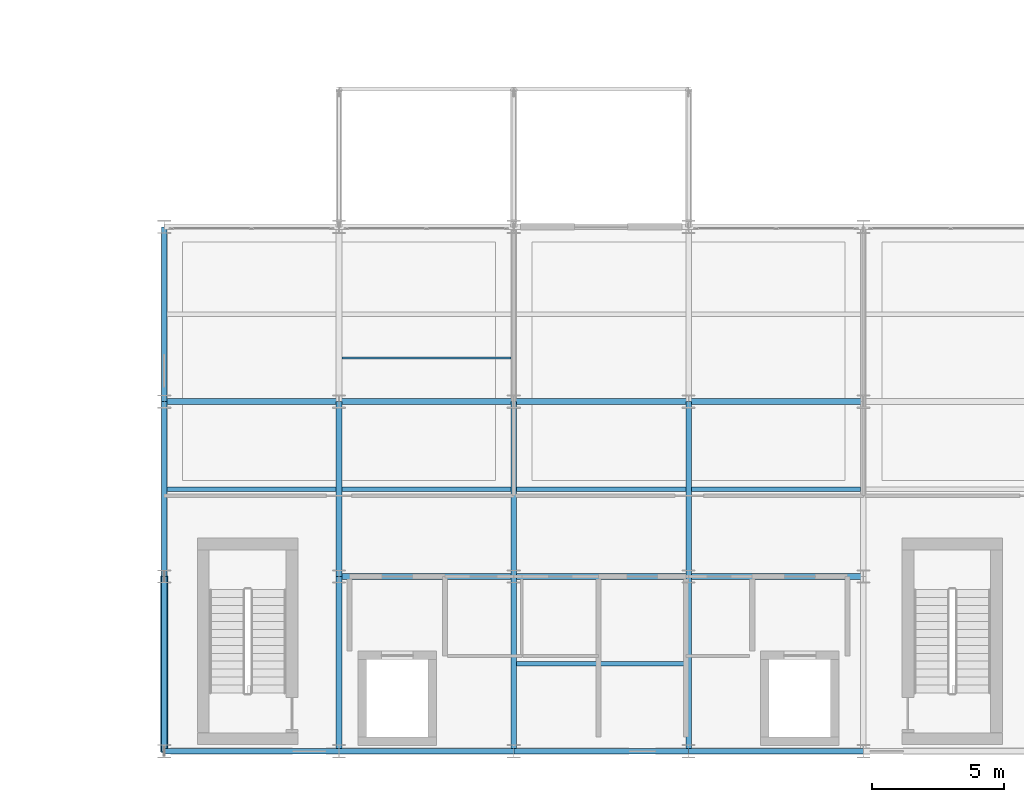
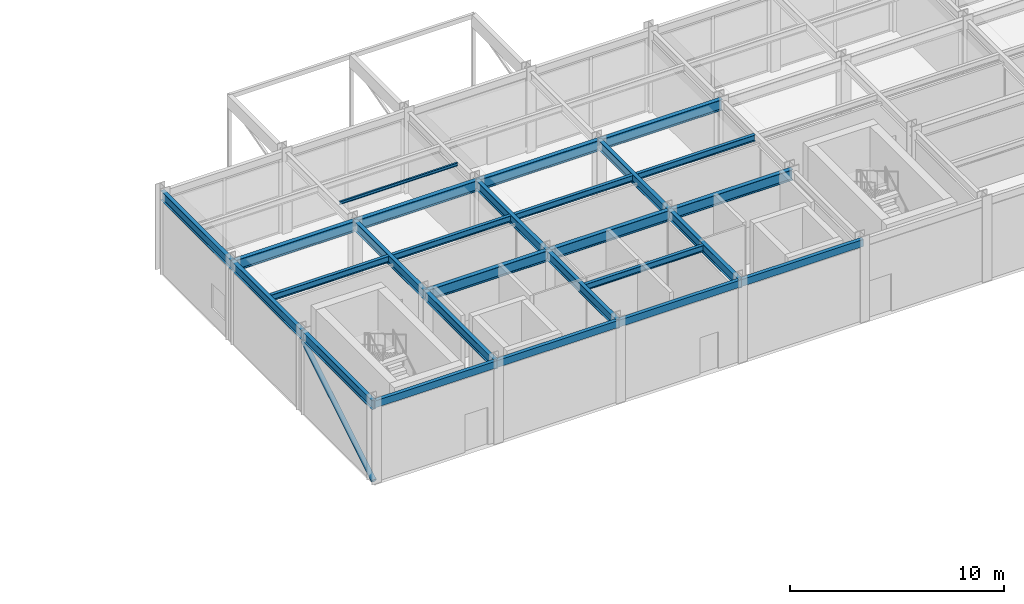
# One storey, part 56 of 144: 26 beams, 1 member.
"""IFC4 building model written with IfcOpenShell, lengths in metres."""

from ifc_helpers import new_model, si_unit, direction, frame, origin, origin_2d, place, context, subcontext, project, spatial, hollow_rectangle, hollow_circle, i_section, extrude, material, material_profile, profile_set, type_object, element, save


model = new_model("IFC4")

# Units and contexts
model_context = context("Model", 3, precision=1e-05, world=origin(), true_north=direction((0.0, 1.0)))
body_context = subcontext(model_context, "Body", "Model", "MODEL_VIEW")
ifc_project = project(units=[si_unit("LENGTHUNIT", "METRE"), si_unit("AREAUNIT", "SQUARE_METRE"), si_unit("VOLUMEUNIT", "CUBIC_METRE"), si_unit("PLANEANGLEUNIT", "RADIAN"), si_unit("MASSUNIT", "GRAM", prefix="KILO")], contexts=[model_context])

# Site, building, storey
site_placement = place(None, origin())
site = spatial("IfcSite", under=ifc_project, at=site_placement, CompositionType="ELEMENT")
building_placement = place(site_placement, origin())
building = spatial("IfcBuilding", under=site, at=building_placement, Name="Karori Crest Natural Sciences Institute", CompositionType="ELEMENT")
storey_placement = place(building_placement, origin())
storey = spatial("IfcBuildingStorey", under=building, at=storey_placement, Name="L00", CompositionType="ELEMENT", Elevation=0.0)

# Beams
ifc_material_1 = material(Name="Structural steel AS/NZS 3679.1 Grade 350", Category="steel")
ifc_material_profile_1 = material_profile(ifc_material_1, i_section(OverallWidth=0.22900390625, OverallDepth=0.612060546875, WebThickness=0.011962890625, FlangeThickness=0.01953125, FilletRadius=0.013916015625, at=origin_2d()), Name="610UB125")
ifc_profile_set_1 = profile_set([ifc_material_profile_1], Name="Structural steel AS/NZS 3679.1 Grade 350")
beam_type_1 = type_object("IfcBeamType", Name="BT-04", PredefinedType="BEAM", material=ifc_profile_set_1)
beam_1_placement = place(storey_placement, frame((110.199951171875, 7.39990234375, 4.31396484375), z_axis=(1.0, 0.0, 0.0), x_axis=(0.0, 1.0, 0.0)))
element("IfcBeam", 1, at=beam_1_placement, inside=storey, type_object=beam_type_1, Name="Beam B-2030", PredefinedType="BEAM", context=body_context, shape_type="SweptSolid", body=[
    extrude(i_section(OverallWidth=0.22900390625, OverallDepth=0.612060546875, WebThickness=0.011962890625, FlangeThickness=0.01953125, FilletRadius=0.013916015625, at=origin_2d()), origin(), (0.0, 0.0, 1.0), 6.60009765625),
])
beam_2_placement = place(storey_placement, frame((116.800048828125, 7.39990234375, 4.31396484375), z_axis=(1.0, 0.0, 0.0), x_axis=(0.0, 1.0, 0.0)))
element("IfcBeam", 2, at=beam_2_placement, inside=storey, type_object=beam_type_1, Name="Beam B-2031", PredefinedType="BEAM", context=body_context, shape_type="SweptSolid", body=[
    extrude(i_section(OverallWidth=0.22900390625, OverallDepth=0.612060546875, WebThickness=0.011962890625, FlangeThickness=0.01953125, FilletRadius=0.013916015625, at=origin_2d()), origin(), (0.0, 0.0, 1.0), 6.599853515625),
])
beam_3_placement = place(storey_placement, frame((123.39990234375, 7.39990234375, 4.31396484375), z_axis=(1.0, 0.0, 0.0), x_axis=(0.0, 1.0, 0.0)))
element("IfcBeam", 3, at=beam_3_placement, inside=storey, type_object=beam_type_1, Name="Beam B-2032", PredefinedType="BEAM", context=body_context, shape_type="SweptSolid", body=[
    extrude(i_section(OverallWidth=0.22900390625, OverallDepth=0.612060546875, WebThickness=0.011962890625, FlangeThickness=0.01953125, FilletRadius=0.013916015625, at=origin_2d()), origin(), (0.0, 0.0, 1.0), 6.60009765625),
])
beam_4_placement = place(storey_placement, frame((103.60009765625, 14.0, 4.31396484375), z_axis=(1.0, 0.0, 0.0), x_axis=(0.0, 1.0, 0.0)))
element("IfcBeam", 4, at=beam_4_placement, inside=storey, type_object=beam_type_1, Name="Beam B-2037", PredefinedType="BEAM", context=body_context, shape_type="SweptSolid", body=[
    extrude(i_section(OverallWidth=0.22900390625, OverallDepth=0.612060546875, WebThickness=0.011962890625, FlangeThickness=0.01953125, FilletRadius=0.013916015625, at=origin_2d()), origin(), (0.0, 0.0, 1.0), 6.599853515625),
])
beam_5_placement = place(storey_placement, frame((110.199951171875, 14.0, 4.31396484375), z_axis=(1.0, 0.0, 0.0), x_axis=(0.0, 1.0, 0.0)))
element("IfcBeam", 5, at=beam_5_placement, inside=storey, type_object=beam_type_1, Name="Beam B-2038", PredefinedType="BEAM", context=body_context, shape_type="SweptSolid", body=[
    extrude(i_section(OverallWidth=0.22900390625, OverallDepth=0.612060546875, WebThickness=0.011962890625, FlangeThickness=0.01953125, FilletRadius=0.013916015625, at=origin_2d()), origin(), (0.0, 0.0, 1.0), 6.60009765625),
])
beam_6_placement = place(storey_placement, frame((116.800048828125, 14.0, 4.31396484375), z_axis=(1.0, 0.0, 0.0), x_axis=(0.0, 1.0, 0.0)))
element("IfcBeam", 6, at=beam_6_placement, inside=storey, type_object=beam_type_1, Name="Beam B-2039", PredefinedType="BEAM", context=body_context, shape_type="SweptSolid", body=[
    extrude(i_section(OverallWidth=0.22900390625, OverallDepth=0.612060546875, WebThickness=0.011962890625, FlangeThickness=0.01953125, FilletRadius=0.013916015625, at=origin_2d()), origin(), (0.0, 0.0, 1.0), 6.599853515625),
])
beam_7_placement = place(storey_placement, frame((123.39990234375, 14.0, 4.31396484375), z_axis=(1.0, 0.0, 0.0), x_axis=(0.0, 1.0, 0.0)))
element("IfcBeam", 7, at=beam_7_placement, inside=storey, type_object=beam_type_1, Name="Beam B-2040", PredefinedType="BEAM", context=body_context, shape_type="SweptSolid", body=[
    extrude(i_section(OverallWidth=0.22900390625, OverallDepth=0.612060546875, WebThickness=0.011962890625, FlangeThickness=0.01953125, FilletRadius=0.013916015625, at=origin_2d()), origin(), (0.0, 0.0, 1.0), 6.60009765625),
])
ifc_material_profile_2 = material_profile(ifc_material_1, i_section(OverallWidth=0.208984375, OverallDepth=0.532958984375, WebThickness=0.01025390625, FlangeThickness=0.015625, FilletRadius=0.013916015625, at=origin_2d()), Name="530UB92.4")
ifc_profile_set_2 = profile_set([ifc_material_profile_2], Name="Structural steel AS/NZS 3679.1 Grade 350")
beam_type_2 = type_object("IfcBeamType", Name="BT-05", PredefinedType="BEAM", material=ifc_profile_set_2)
beam_8_placement = place(storey_placement, frame((110.199951171875, 0.800048828125, 4.353515625), z_axis=(0.0, 1.0, 0.0), x_axis=(-1.0, 0.0, 0.0)))
element("IfcBeam", 8, at=beam_8_placement, inside=storey, type_object=beam_type_2, Name="Beam B-2058", PredefinedType="BEAM", context=body_context, shape_type="SweptSolid", body=[
    extrude(i_section(OverallWidth=0.208984375, OverallDepth=0.532958984375, WebThickness=0.01025390625, FlangeThickness=0.015625, FilletRadius=0.013916015625, at=origin_2d()), origin(), (0.0, 0.0, 1.0), 6.599853515625),
])
beam_9_placement = place(storey_placement, frame((110.199951171875, 7.39990234375, 4.353515625), z_axis=(0.0, 1.0, 0.0), x_axis=(-1.0, 0.0, 0.0)))
element("IfcBeam", 9, at=beam_9_placement, inside=storey, type_object=beam_type_2, Name="Beam B-2059", PredefinedType="BEAM", context=body_context, shape_type="SweptSolid", body=[
    extrude(i_section(OverallWidth=0.208984375, OverallDepth=0.532958984375, WebThickness=0.01025390625, FlangeThickness=0.015625, FilletRadius=0.013916015625, at=origin_2d()), origin(), (0.0, 0.0, 1.0), 6.60009765625),
])
beam_10_placement = place(storey_placement, frame((116.800048828125, 0.800048828125, 4.353515625), z_axis=(0.0, 1.0, 0.0), x_axis=(-1.0, 0.0, 0.0)))
element("IfcBeam", 10, at=beam_10_placement, inside=storey, type_object=beam_type_2, Name="Beam B-2061", PredefinedType="BEAM", context=body_context, shape_type="SweptSolid", body=[
    extrude(i_section(OverallWidth=0.208984375, OverallDepth=0.532958984375, WebThickness=0.01025390625, FlangeThickness=0.015625, FilletRadius=0.013916015625, at=origin_2d()), origin(), (0.0, 0.0, 1.0), 6.599853515625),
])
beam_11_placement = place(storey_placement, frame((116.800048828125, 7.39990234375, 4.353515625), z_axis=(0.0, 1.0, 0.0), x_axis=(-1.0, 0.0, 0.0)))
element("IfcBeam", 11, at=beam_11_placement, inside=storey, type_object=beam_type_2, Name="Beam B-2062", PredefinedType="BEAM", context=body_context, shape_type="SweptSolid", body=[
    extrude(i_section(OverallWidth=0.208984375, OverallDepth=0.532958984375, WebThickness=0.01025390625, FlangeThickness=0.015625, FilletRadius=0.013916015625, at=origin_2d()), origin(), (0.0, 0.0, 1.0), 6.60009765625),
])
beam_12_placement = place(storey_placement, frame((123.39990234375, 0.800048828125, 4.353515625), z_axis=(0.0, 1.0, 0.0), x_axis=(-1.0, 0.0, 0.0)))
element("IfcBeam", 12, at=beam_12_placement, inside=storey, type_object=beam_type_2, Name="Beam B-2064", PredefinedType="BEAM", context=body_context, shape_type="SweptSolid", body=[
    extrude(i_section(OverallWidth=0.208984375, OverallDepth=0.532958984375, WebThickness=0.01025390625, FlangeThickness=0.015625, FilletRadius=0.013916015625, at=origin_2d()), origin(), (0.0, 0.0, 1.0), 6.599853515625),
])
beam_13_placement = place(storey_placement, frame((123.39990234375, 7.39990234375, 4.353515625), z_axis=(0.0, 1.0, 0.0), x_axis=(-1.0, 0.0, 0.0)))
element("IfcBeam", 13, at=beam_13_placement, inside=storey, type_object=beam_type_2, Name="Beam B-2065", PredefinedType="BEAM", context=body_context, shape_type="SweptSolid", body=[
    extrude(i_section(OverallWidth=0.208984375, OverallDepth=0.532958984375, WebThickness=0.01025390625, FlangeThickness=0.015625, FilletRadius=0.013916015625, at=origin_2d()), origin(), (0.0, 0.0, 1.0), 6.60009765625),
])
ifc_material_profile_3 = material_profile(ifc_material_1, i_section(OverallWidth=0.208984375, OverallDepth=0.532958984375, WebThickness=0.01025390625, FlangeThickness=0.015625, FilletRadius=0.013916015625, at=origin_2d()), Name="530UB92.4")
ifc_profile_set_3 = profile_set([ifc_material_profile_3], Name="Structural steel AS/NZS 3679.1 Grade 350")
beam_type_3 = type_object("IfcBeamType", Name="BT-05-EL", PredefinedType="BEAM", material=ifc_profile_set_3)
beam_14_placement = place(storey_placement, frame((103.60009765625, 0.800048828125, 4.353515625), z_axis=(0.0, 1.0, 0.0), x_axis=(-1.0, 0.0, 0.0)))
element("IfcBeam", 14, at=beam_14_placement, inside=storey, type_object=beam_type_3, Name="Beam B-2055", PredefinedType="BEAM", context=body_context, shape_type="SweptSolid", body=[
    extrude(i_section(OverallWidth=0.208984375, OverallDepth=0.532958984375, WebThickness=0.01025390625, FlangeThickness=0.015625, FilletRadius=0.013916015625, at=origin_2d()), origin(), (0.0, 0.0, 1.0), 6.599853515625),
])
for number, where, z_axis, x_axis, name in (
    (15, (103.60009765625, 7.39990234375, 4.353515625), (0.0, 1.0, 0.0), (-1.0, 0.0, 0.0), "Beam B-2056"),
    (16, (103.60009765625, 14.0, 4.353515625), (0.0, 1.0, 0.0), (-1.0, 0.0, 0.0), "Beam B-2057"),
):
    element("IfcBeam", number, at=place(storey_placement, frame(where, z_axis=z_axis, x_axis=x_axis)), inside=storey, type_object=beam_type_3, Name=name, PredefinedType="BEAM", context=body_context, shape_type="SweptSolid", body=[
        extrude(i_section(OverallWidth=0.208984375, OverallDepth=0.532958984375, WebThickness=0.01025390625, FlangeThickness=0.015625, FilletRadius=0.013916015625, at=origin_2d()), origin(), (0.0, 0.0, 1.0), 6.60009765625),
    ])
ifc_material_profile_4 = material_profile(ifc_material_1, i_section(OverallWidth=0.172119140625, OverallDepth=0.35888671875, WebThickness=0.008056640625, FlangeThickness=0.012939453125, FilletRadius=0.010986328125, at=origin_2d()), Name="360UB56.7")
ifc_profile_set_4 = profile_set([ifc_material_profile_4], Name="Structural steel AS/NZS 3679.1 Grade 350")
beam_type_4 = type_object("IfcBeamType", Name="BT-08", PredefinedType="BEAM", material=ifc_profile_set_4)
beam_15_placement = place(storey_placement, frame((103.70458984375, 10.699951171875, 4.4404296875), z_axis=(1.0, 0.0, 0.0), x_axis=(0.0, 1.0, 0.0)))
element("IfcBeam", 17, at=beam_15_placement, inside=storey, type_object=beam_type_4, Name="Beam B-2085", PredefinedType="BEAM", context=body_context, shape_type="SweptSolid", body=[
    extrude(i_section(OverallWidth=0.172119140625, OverallDepth=0.35888671875, WebThickness=0.008056640625, FlangeThickness=0.012939453125, FilletRadius=0.010986328125, at=origin_2d()), origin(), (0.0, 0.0, 1.0), 6.390869140625),
])
beam_16_placement = place(storey_placement, frame((110.304443359375, 10.699951171875, 4.4404296875), z_axis=(1.0, 0.0, 0.0), x_axis=(0.0, 1.0, 0.0)))
element("IfcBeam", 18, at=beam_16_placement, inside=storey, type_object=beam_type_4, Name="Beam B-2087", PredefinedType="BEAM", context=body_context, shape_type="SweptSolid", body=[
    extrude(i_section(OverallWidth=0.172119140625, OverallDepth=0.35888671875, WebThickness=0.008056640625, FlangeThickness=0.012939453125, FilletRadius=0.010986328125, at=origin_2d()), origin(), (0.0, 0.0, 1.0), 6.39111328125),
])
for number, where, z_axis, x_axis, name in (
    (19, (116.904541015625, 4.10009765625, 4.4404296875), (1.0, 0.0, 0.0), (0.0, 1.0, 0.0), "Beam B-2090"),
    (20, (116.904541015625, 10.699951171875, 4.4404296875), (1.0, 0.0, 0.0), (0.0, 1.0, 0.0), "Beam B-2091"),
):
    element("IfcBeam", number, at=place(storey_placement, frame(where, z_axis=z_axis, x_axis=x_axis)), inside=storey, type_object=beam_type_4, Name=name, PredefinedType="BEAM", context=body_context, shape_type="SweptSolid", body=[
        extrude(i_section(OverallWidth=0.172119140625, OverallDepth=0.35888671875, WebThickness=0.008056640625, FlangeThickness=0.012939453125, FilletRadius=0.010986328125, at=origin_2d()), origin(), (0.0, 0.0, 1.0), 6.390869140625),
    ])
beam_17_placement = place(storey_placement, frame((123.50439453125, 10.699951171875, 4.4404296875), z_axis=(1.0, 0.0, 0.0), x_axis=(0.0, 1.0, 0.0)))
element("IfcBeam", 21, at=beam_17_placement, inside=storey, type_object=beam_type_4, Name="Beam B-2093", PredefinedType="BEAM", context=body_context, shape_type="SweptSolid", body=[
    extrude(i_section(OverallWidth=0.172119140625, OverallDepth=0.35888671875, WebThickness=0.008056640625, FlangeThickness=0.012939453125, FilletRadius=0.010986328125, at=origin_2d()), origin(), (0.0, 0.0, 1.0), 6.39111328125),
])
ifc_material_2 = material(Name="Hollow structural steel AS/NZS 1163 Grade C350", Category="steel")
ifc_material_profile_5 = material_profile(ifc_material_2, hollow_rectangle(XDim=0.199951171875, YDim=0.39990234375, WallThickness=0.012451171875, at=origin_2d()), Name="RHS400x200x12.5")
ifc_profile_set_5 = profile_set([ifc_material_profile_5], Name="Hollow structural steel AS/NZS 1163 Grade C350")
beam_type_5 = type_object("IfcBeamType", Name="BT-14", PredefinedType="SPANDREL", material=ifc_profile_set_5)
beam_18_placement = place(storey_placement, frame((103.60009765625, 0.800048828125, 4.419921875), z_axis=(1.0, 0.0, 0.0), x_axis=(0.0, 1.0, 0.0)))
element("IfcBeam", 22, at=beam_18_placement, inside=storey, type_object=beam_type_5, Name="Beam B-2021", PredefinedType="SPANDREL", context=body_context, shape_type="SweptSolid", body=[
    extrude(hollow_rectangle(XDim=0.199951171875, YDim=0.39990234375, WallThickness=0.012451171875, at=origin_2d()), origin(), (0.0, 0.0, 1.0), 6.599853515625),
])
beam_19_placement = place(storey_placement, frame((110.199951171875, 0.800048828125, 4.419921875), z_axis=(1.0, 0.0, 0.0), x_axis=(0.0, 1.0, 0.0)))
element("IfcBeam", 23, at=beam_19_placement, inside=storey, type_object=beam_type_5, Name="Beam B-2022", PredefinedType="SPANDREL", context=body_context, shape_type="SweptSolid", body=[
    extrude(hollow_rectangle(XDim=0.199951171875, YDim=0.39990234375, WallThickness=0.012451171875, at=origin_2d()), origin(), (0.0, 0.0, 1.0), 6.60009765625),
])
beam_20_placement = place(storey_placement, frame((116.800048828125, 0.800048828125, 4.419921875), z_axis=(1.0, 0.0, 0.0), x_axis=(0.0, 1.0, 0.0)))
element("IfcBeam", 24, at=beam_20_placement, inside=storey, type_object=beam_type_5, Name="Beam B-2023", PredefinedType="SPANDREL", context=body_context, shape_type="SweptSolid", body=[
    extrude(hollow_rectangle(XDim=0.199951171875, YDim=0.39990234375, WallThickness=0.012451171875, at=origin_2d()), origin(), (0.0, 0.0, 1.0), 6.599853515625),
])
beam_21_placement = place(storey_placement, frame((123.39990234375, 0.800048828125, 4.419921875), z_axis=(1.0, 0.0, 0.0), x_axis=(0.0, 1.0, 0.0)))
element("IfcBeam", 25, at=beam_21_placement, inside=storey, type_object=beam_type_5, Name="Beam B-2024", PredefinedType="SPANDREL", context=body_context, shape_type="SweptSolid", body=[
    extrude(hollow_rectangle(XDim=0.199951171875, YDim=0.39990234375, WallThickness=0.012451171875, at=origin_2d()), origin(), (0.0, 0.0, 1.0), 6.60009765625),
])
ifc_material_profile_6 = material_profile(ifc_material_1, i_section(OverallWidth=0.090087890625, OverallDepth=0.178955078125, WebThickness=0.006103515625, FlangeThickness=0.010009765625, FilletRadius=0.009033203125, at=origin_2d()), Name="180UB22.2")
ifc_profile_set_6 = profile_set([ifc_material_profile_6], Name="Structural steel AS/NZS 3679.1 Grade 350")
beam_type_6 = type_object("IfcBeamType", Name="BT-24", PredefinedType="LINTEL", material=ifc_profile_set_6)
beam_22_placement = place(storey_placement, frame((110.304443359375, 15.64990234375, 4.530517578125), z_axis=(1.0, 0.0, 0.0), x_axis=(0.0, 1.0, 0.0)))
element("IfcBeam", 26, at=beam_22_placement, inside=storey, type_object=beam_type_6, Name="Beam B-2089", PredefinedType="LINTEL", context=body_context, shape_type="SweptSolid", body=[
    extrude(i_section(OverallWidth=0.090087890625, OverallDepth=0.178955078125, WebThickness=0.006103515625, FlangeThickness=0.010009765625, FilletRadius=0.009033203125, at=origin_2d()), origin(), (0.0, 0.0, 1.0), 6.39111328125),
])

# Member
ifc_material_profile_7 = material_profile(ifc_material_2, hollow_circle(Radius=0.136474609375, WallThickness=0.00927734375, at=origin_2d()), Name="CHS273.0x9.3")
ifc_profile_set_7 = profile_set([ifc_material_profile_7], Name="Hollow structural steel AS/NZS 1163 Grade C350")
member_type = type_object("IfcMemberType", Name="MT-01-EL", PredefinedType="BRACE", material=ifc_profile_set_7)
member_placement = place(storey_placement, frame((103.60009765625, 0.800048828125, 0.010009765625), z_axis=(0.0, 0.854729902102, 0.519073014568), x_axis=(-1.0, 0.0, 0.0)))
element("IfcMember", 27, at=member_placement, inside=storey, type_object=member_type, Name="Diagonal Brace M-0439", PredefinedType="BRACE", context=body_context, shape_type="SweptSolid", body=[
    extrude(hollow_circle(Radius=0.136474609375, WallThickness=0.00927734375, at=origin_2d()), origin(), (0.0, 0.0, 1.0), 7.7216796875),
])

save(model, "model.ifc")
